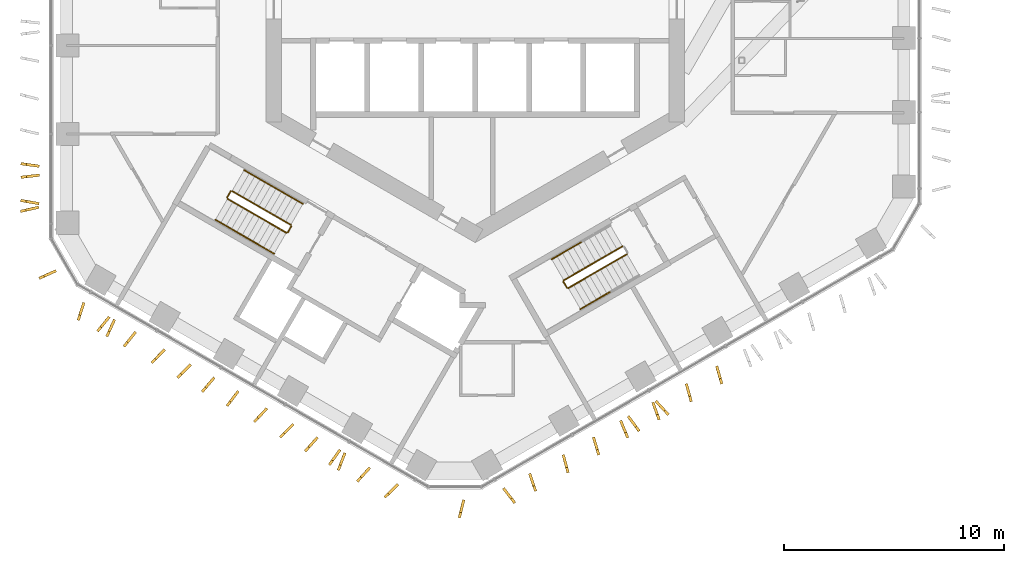
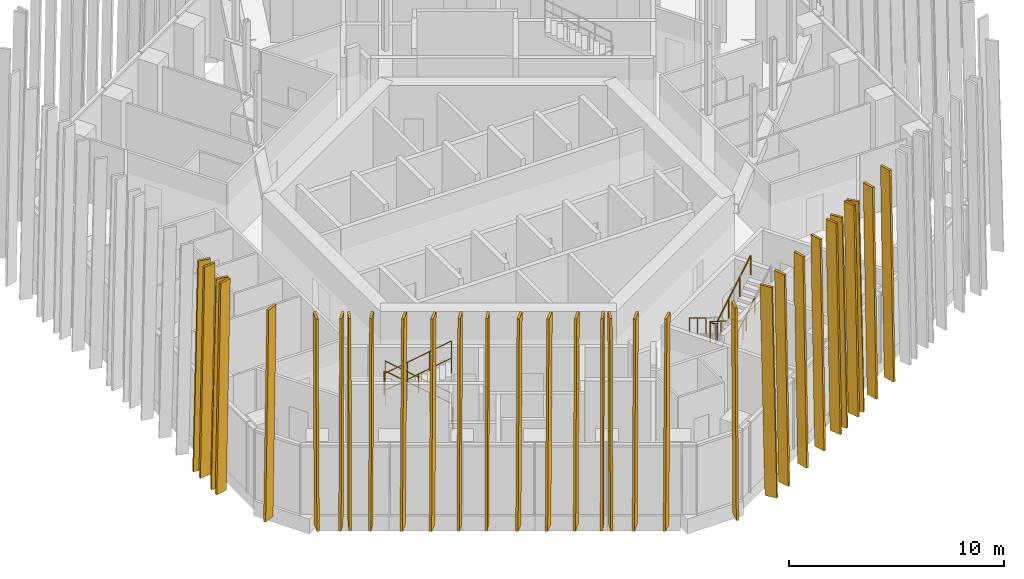
# One storey, part 27 of 31: 31 shading devices, 13 railings.
"""IFC4 building model written with IfcOpenShell, lengths in metres."""

from ifc_helpers import new_model, si_unit, direction, frame, origin, origin_2d, place, context, subcontext, project, spatial, polyline, circle, outline, extrude, material, layer, layer_set, type_object, element, save


model = new_model("IFC4")

# Units and contexts
model_context = context("Model", 3, precision=1e-05, world=origin(), true_north=direction((0.0, 1.0)))
body_context = subcontext(model_context, "Body", "Model", "MODEL_VIEW")
ifc_project = project(units=[si_unit("LENGTHUNIT", "METRE"), si_unit("AREAUNIT", "SQUARE_METRE"), si_unit("VOLUMEUNIT", "CUBIC_METRE"), si_unit("PLANEANGLEUNIT", "RADIAN"), si_unit("MASSUNIT", "GRAM", prefix="KILO")], contexts=[model_context])

# Site, building, storey
site_placement = place(None, origin())
site = spatial("IfcSite", under=ifc_project, at=site_placement, CompositionType="ELEMENT")
building_placement = place(site_placement, origin())
building = spatial("IfcBuilding", under=site, at=building_placement, Name="Ayvan Gate Tower", CompositionType="ELEMENT")
storey_placement = place(building_placement, frame((0.0, 0.0, 135.89990234375)))
storey = spatial("IfcBuildingStorey", under=building, at=storey_placement, Name="L36", CompositionType="ELEMENT", Elevation=135.89990234375)

# Shading devices
ifc_material_1 = material(Name="Bronze anodised aluminium", Category="aluminium")
ifc_layer = layer(ifc_material_1, 0.1201171875)
ifc_layer_set = layer_set([ifc_layer], Name="Bronze anodised aluminium")
shading_device_type = type_object("IfcShadingDeviceType", Name="Bronze fin 600 x 120", PredefinedType="USERDEFINED", material=ifc_layer_set)
shading_device_1_placement = place(storey_placement, frame((-20.045654296875, -7.40576171875, 0.0), z_axis=(0.135893885966, 0.990723390198, 0.000125979305), x_axis=(-0.99072339806, 0.135893887044, 0.0)))
element("IfcShadingDevice", 1, at=shading_device_1_placement, inside=storey, type_object=shading_device_type, Name="Bronze fin FG13.3.48", ObjectType="FIN", PredefinedType="USERDEFINED", context=body_context, shape_type="SweptSolid", body=[
    extrude(outline(polyline([(0.0, 0.0), (0.6000488360716393, 0.0), (0.35045979982692116, 11.880127047398476), (-0.2495890362447181, 11.880127047398476), (0.0, 0.0)])), origin(), (0.0, 0.0, -1.0), 0.1201171875),
])
shading_device_2_placement = place(storey_placement, frame((-20.05615234375, -7.874267578125, 0.0), z_axis=(-0.111101503658, 0.993809054695, 0.00013671442), x_axis=(-0.993809063983, -0.111101504696, 0.0)))
element("IfcShadingDevice", 2, at=shading_device_2_placement, inside=storey, type_object=shading_device_type, Name="Bronze fin FG13.3.49", ObjectType="FIN", PredefinedType="USERDEFINED", context=body_context, shape_type="SweptSolid", body=[
    extrude(outline(polyline([(0.0, 0.0), (0.5999053820868901, -1.6940658945086007e-21), (0.35024921043822377, 11.880127064149734), (-0.24965617164866633, 11.880127064149734), (0.0, 0.0)])), origin(), (0.0, 0.0, -1.0), 0.1201171875),
])
shading_device_3_placement = place(storey_placement, frame((-20.051513671875, -9.09765625, 0.0), z_axis=(0.17191640772, 0.985111533942, 0.000120216133), x_axis=(-0.985111541059, 0.171916408965, -2.4093e-08)))
element("IfcShadingDevice", 3, at=shading_device_3_placement, inside=storey, type_object=shading_device_type, Name="Bronze fin FG13.3.50", ObjectType="FIN", PredefinedType="USERDEFINED", context=body_context, shape_type="SweptSolid", body=[
    extrude(outline(polyline([(0.0, 0.0), (0.6000184770256811, 0.0), (0.3504305451081392, 11.880127047413295), (-0.2495459601380093, 11.880127018501636), (0.0, 0.0)])), origin(), (0.0, 0.0, -1.0), 0.1201171875),
])
shading_device_4_placement = place(storey_placement, frame((-20.0888671875, -9.359619140625, 0.0), z_axis=(-0.220548118527, 0.975376088761, 0.000113525878), x_axis=(-0.975376095046, -0.220548119948, 0.0)))
element("IfcShadingDevice", 4, at=shading_device_4_placement, inside=storey, type_object=shading_device_type, Name="Bronze fin FG13.3.51", ObjectType="FIN", PredefinedType="USERDEFINED", context=body_context, shape_type="SweptSolid", body=[
    extrude(outline(polyline([(0.0, 0.0), (0.5999789015716179, 0.0), (0.3504803836896402, 11.880127029681281), (-0.24949851788197774, 11.880127029681281), (0.0, 0.0)])), origin(), (0.0, 0.0, -1.0), 0.1201171875),
])
shading_device_5_placement = place(storey_placement, frame((-19.294677734375, -12.294189453125, 0.0), z_axis=(-0.413787614044, 0.910373437978, 0.000117848804), x_axis=(-0.910373444299, -0.413787616918, 9.922e-09)))
element("IfcShadingDevice", 5, at=shading_device_5_placement, inside=storey, type_object=shading_device_type, Name="Bronze fin FG13.4.52", ObjectType="FIN", PredefinedType="USERDEFINED", context=body_context, shape_type="SweptSolid", body=[
    extrude(outline(polyline([(0.0, 0.0), (0.59993344758376, 3.3881317890172014e-21), (0.3503384367007245, 11.880127032146486), (-0.2498172700247102, 11.880127044054056), (0.0, 0.0)])), origin(), (0.0, 0.0, -1.0), 0.1201171875),
])
shading_device_6_placement = place(storey_placement, frame((-17.916015625, -13.9140625, 0.0), z_axis=(-0.952829545847, 0.303505909992, 0.000138421233), x_axis=(-0.3035059129, -0.952829554975, 0.0)))
element("IfcShadingDevice", 6, at=shading_device_6_placement, inside=storey, type_object=shading_device_type, Name="Bronze fin FG13.5.53", ObjectType="FIN", PredefinedType="USERDEFINED", context=body_context, shape_type="SweptSolid", body=[
    extrude(outline(polyline([(0.0, 0.0), (0.6000835519472492, -6.776263578034403e-21), (0.35025090268445025, 11.880127066939218), (-0.24983264926279897, 11.880127066939218), (0.0, 0.0)])), origin(), (0.0, 0.0, -1.0), 0.1201171875),
])
shading_device_7_placement = place(storey_placement, frame((-16.830078125, -14.49853515625, 0.0), z_axis=(-0.773975417924, 0.633215631012, 0.000130734074), x_axis=(-0.633215636427, -0.773975424535, -3.7422e-08)))
element("IfcShadingDevice", 7, at=shading_device_7_placement, inside=storey, type_object=shading_device_type, Name="Bronze fin FG13.5.54", ObjectType="FIN", PredefinedType="USERDEFINED", context=body_context, shape_type="SweptSolid", body=[
    extrude(outline(polyline([(0.0, 0.0), (0.6001020516070977, 0.0), (0.35044133610731165, 11.88012706776321), (-0.24969508068242988, 11.880127022847905), (0.0, 0.0)])), origin(), (0.0, 0.0, -1.0), 0.1201171875),
])
shading_device_8_placement = place(storey_placement, frame((-16.546875, -14.66650390625, 0.0), z_axis=(-0.911089723172, 0.412208079309, 0.000125233886), x_axis=(-0.412208082541, -0.911089730316, 0.0)))
element("IfcShadingDevice", 8, at=shading_device_8_placement, inside=storey, type_object=shading_device_type, Name="Bronze fin FG13.5.55", ObjectType="FIN", PredefinedType="USERDEFINED", context=body_context, shape_type="SweptSolid", body=[
    extrude(outline(polyline([(0.0, 0.0), (0.5999747787578815, 0.0), (0.35036169020591007, 11.880127046286143), (-0.2496130885519714, 11.880127046286143), (0.0, 0.0)])), origin(), (0.0, 0.0, -1.0), 0.1201171875),
])
shading_device_9_placement = place(storey_placement, frame((-15.63330078125, -15.187255859375, 0.0), z_axis=(-0.782078136764, 0.623180367562, 0.000132213277), x_axis=(-0.623180373007, -0.782078143602, 2.104e-08)))
element("IfcShadingDevice", 9, at=shading_device_9_placement, inside=storey, type_object=shading_device_type, Name="Bronze fin FG13.5.56", ObjectType="FIN", PredefinedType="USERDEFINED", context=body_context, shape_type="SweptSolid", body=[
    extrude(outline(polyline([(0.0, 0.0), (0.5999129255555216, 0.0), (0.35025106570528225, 11.880127049590094), (-0.24981400349599284, 11.880127074837707), (0.0, 0.0)])), origin(), (0.0, 0.0, -1.0), 0.1201171875),
])
shading_device_10_placement = place(storey_placement, frame((-14.327880859375, -15.96484375, 0.0), z_axis=(-0.719608254855, 0.69438025836, 0.000127842402), x_axis=(-0.694380264031, -0.719608260739, 3.6777e-08)))
element("IfcShadingDevice", 10, at=shading_device_10_placement, inside=storey, type_object=shading_device_type, Name="Bronze fin FG13.5.58", ObjectType="FIN", PredefinedType="USERDEFINED", context=body_context, shape_type="SweptSolid", body=[
    extrude(outline(polyline([(0.0, 0.0), (0.5999999374230234, 0.0), (0.3503566352355509, 11.880127037322337), (-0.24963714300858883, 11.880127081454848), (0.0, 0.0)])), origin(), (0.0, 0.0, -1.0), 0.1201171875),
])
shading_device_11_placement = place(storey_placement, frame((-13.150390625, -16.6484375, 0.0), z_axis=(-0.711871686959, 0.702309535119, 0.000134857093), x_axis=(-0.702309541504, -0.711871693434, 1.9266e-08)))
element("IfcShadingDevice", 11, at=shading_device_11_placement, inside=storey, type_object=shading_device_type, Name="Bronze fin FG13.5.60", ObjectType="FIN", PredefinedType="USERDEFINED", context=body_context, shape_type="SweptSolid", body=[
    extrude(outline(polyline([(0.0, 0.0), (0.6000883135120165, 6.776263578034403e-21), (0.35029242312177733, 11.880127054404763), (-0.24962209359008442, 11.88012707752432), (0.0, 0.0)])), origin(), (0.0, 0.0, -1.0), 0.1201171875),
])
shading_device_12_placement = place(storey_placement, frame((-12.066162109375, -17.2529296875, 0.0), z_axis=(-0.762335738282, 0.647181740986, 0.000127562718), x_axis=(-0.647181746255, -0.762335744481, -3.6582e-08)))
element("IfcShadingDevice", 12, at=shading_device_12_placement, inside=storey, type_object=shading_device_type, Name="Bronze fin FG13.5.62", ObjectType="FIN", PredefinedType="USERDEFINED", context=body_context, shape_type="SweptSolid", body=[
    extrude(outline(polyline([(0.0, 0.0), (0.5999807147719134, 0.0), (0.3503512697425692, 11.88012706259973), (-0.2496575587984424, 11.880127018701758), (0.0, 0.0)])), origin(), (0.0, 0.0, -1.0), 0.1201171875),
])
shading_device_13_placement = place(storey_placement, frame((-10.96435546875, -17.87890625, 0.0), z_axis=(-0.797282010806, 0.603606972712, 0.000133186605), x_axis=(-0.603606978067, -0.797282017877, -5.246e-09)))
element("IfcShadingDevice", 13, at=shading_device_13_placement, inside=storey, type_object=shading_device_type, Name="Bronze fin FG13.5.64", ObjectType="FIN", PredefinedType="USERDEFINED", context=body_context, shape_type="SweptSolid", body=[
    extrude(outline(polyline([(0.0, 0.0), (0.6002015406466985, -6.776263578034403e-21), (0.35033816146262975, 11.880127060331791), (-0.24952136526904356, 11.880127054035997), (0.0, 0.0)])), origin(), (0.0, 0.0, -1.0), 0.1201171875),
])
shading_device_14_placement = place(storey_placement, frame((-9.680908203125, -18.64306640625, 0.0), z_axis=(-0.730120749943, 0.683318137768, 0.000114455331), x_axis=(-0.683318142243, -0.730120754726, 0.0)))
element("IfcShadingDevice", 14, at=shading_device_14_placement, inside=storey, type_object=shading_device_type, Name="Bronze fin FG13.5.66", ObjectType="FIN", PredefinedType="USERDEFINED", context=body_context, shape_type="SweptSolid", body=[
    extrude(outline(polyline([(0.0, 0.0), (0.5998847155284014, 6.776263578034403e-21), (0.35016489747219925, 11.880127030939967), (-0.24971981805620214, 11.880127030939967), (0.0, 0.0)])), origin(), (0.0, 0.0, -1.0), 0.1201171875),
])
shading_device_15_placement = place(storey_placement, frame((-8.480712890625, -19.346435546875, 0.0), z_axis=(-0.707818508961, 0.706394326851, 0.000115606324), x_axis=(-0.70639433157, -0.707818513693, 1.6612e-08)))
element("IfcShadingDevice", 15, at=shading_device_15_placement, inside=storey, type_object=shading_device_type, Name="Bronze fin FG13.5.68", ObjectType="FIN", PredefinedType="USERDEFINED", context=body_context, shape_type="SweptSolid", body=[
    extrude(outline(polyline([(0.0, 0.0), (0.6000744075757722, -6.776263578034403e-21), (0.35044774590589084, 11.880127026691097), (-0.2494538544155619, 11.88012704662564), (0.0, 0.0)])), origin(), (0.0, 0.0, -1.0), 0.1201171875),
])
shading_device_16_placement = place(storey_placement, frame((-7.37646484375, -19.96630859375, 0.0), z_axis=(-0.747005114352, 0.664818277152, 0.000132274567), x_axis=(-0.664818282968, -0.747005120887, 0.0)))
element("IfcShadingDevice", 16, at=shading_device_16_placement, inside=storey, type_object=shading_device_type, Name="Bronze fin FG13.5.70", ObjectType="FIN", PredefinedType="USERDEFINED", context=body_context, shape_type="SweptSolid", body=[
    extrude(outline(polyline([(0.0, 0.0), (0.6000523623824074, 0.0), (0.3502661280788819, 11.880127057055685), (-0.24978623430352556, 11.880127057055685), (0.0, 0.0)])), origin(), (0.0, 0.0, -1.0), 0.1201171875),
])
shading_device_17_placement = place(storey_placement, frame((-6.33544921875, -20.548095703125, 0.0), z_axis=(-0.814502456864, 0.580160091652, 0.000125762998), x_axis=(-0.58016009624, -0.814502463305, 0.0)))
element("IfcShadingDevice", 17, at=shading_device_17_placement, inside=storey, type_object=shading_device_type, Name="Bronze fin FG13.5.72", ObjectType="FIN", PredefinedType="USERDEFINED", context=body_context, shape_type="SweptSolid", body=[
    extrude(outline(polyline([(0.0, 0.0), (0.6000835519472492, -6.776263578034403e-21), (0.3505331907090128, 11.880127047075014), (-0.24955036123823643, 11.880127047075014), (0.0, 0.0)])), origin(), (0.0, 0.0, -1.0), 0.1201171875),
])
shading_device_18_placement = place(storey_placement, frame((-6.065185546875, -20.734619140625, 0.0), z_axis=(-0.93394200753, 0.357424549604, 0.000133835562), x_axis=(-0.357424552807, -0.933942015893, -1.5692e-08)))
element("IfcShadingDevice", 18, at=shading_device_18_placement, inside=storey, type_object=shading_device_type, Name="Bronze fin FG13.5.73", ObjectType="FIN", PredefinedType="USERDEFINED", context=body_context, shape_type="SweptSolid", body=[
    extrude(outline(polyline([(0.0, 0.0), (0.6002214478535683, 0.0), (0.35046328418503436, 11.880127065022693), (-0.2494428886273475, 11.880127046190108), (0.0, 0.0)])), origin(), (0.0, 0.0, -1.0), 0.1201171875),
])
shading_device_19_placement = place(storey_placement, frame((-5.001708984375, -21.339599609375, 0.0), z_axis=(-0.74142971769, 0.671030518371, 0.000130924643), x_axis=(-0.671030524122, -0.741429724045, 0.0)))
element("IfcShadingDevice", 19, at=shading_device_19_placement, inside=storey, type_object=shading_device_type, Name="Bronze fin FG13.5.74", ObjectType="FIN", PredefinedType="USERDEFINED", context=body_context, shape_type="SweptSolid", body=[
    extrude(outline(polyline([(0.0, 0.0), (0.5999546610073421, -6.776263578034403e-21), (0.350267135592846, 11.880127054945188), (-0.24968752541449618, 11.880127054945188), (0.0, 0.0)])), origin(), (0.0, 0.0, -1.0), 0.1201171875),
])
shading_device_20_placement = place(storey_placement, frame((-3.736572265625, -22.0859375, 0.0), z_axis=(-0.707208495552, 0.707005040864, 0.00012653986), x_axis=(-0.707005046526, -0.707208501212, -1.8205e-08)))
element("IfcShadingDevice", 20, at=shading_device_20_placement, inside=storey, type_object=shading_device_type, Name="Bronze fin FG13.5.76", ObjectType="FIN", PredefinedType="USERDEFINED", context=body_context, shape_type="SweptSolid", body=[
    extrude(outline(polyline([(0.0, 0.0), (0.6000740102463245, 0.0), (0.3502733578795491, 11.880127054615865), (-0.24962804371283823, 11.880127032770847), (0.0, 0.0)])), origin(), (0.0, 0.0, -1.0), 0.1201171875),
])
shading_device_21_placement = place(storey_placement, frame((-0.636962890625, -22.88330078125, 0.0), z_axis=(-0.97054806599, 0.24090752833, 0.000119988329), x_axis=(-0.240907530064, -0.970548072977, 0.0)))
element("IfcShadingDevice", 21, at=shading_device_21_placement, inside=storey, type_object=shading_device_type, Name="Bronze fin FG13.6.78", ObjectType="FIN", PredefinedType="USERDEFINED", context=body_context, shape_type="SweptSolid", body=[
    extrude(outline(polyline([(0.0, 0.0), (0.5999449247673146, 3.3881317890172014e-21), (0.35030580418726787, 11.880127038645277), (-0.24963912058004678, 11.880127038645277), (0.0, 0.0)])), origin(), (0.0, 0.0, -1.0), 0.1201171875),
])
shading_device_22_placement = place(storey_placement, frame((1.385986328125, -22.36474609375, 0.0), z_axis=(-0.791374468186, -0.611331690719, 0.000122578801), x_axis=(0.61133169531, -0.791374474133, -1.9737e-08)))
element("IfcShadingDevice", 22, at=shading_device_22_placement, inside=storey, type_object=shading_device_type, Name="Bronze fin FG13.7.79", ObjectType="FIN", PredefinedType="USERDEFINED", context=body_context, shape_type="SweptSolid", body=[
    extrude(outline(polyline([(0.0, 0.0), (0.5999618062852663, 0.0), (0.35034899891452653, 11.880127049292682), (-0.2497620582729151, 11.880127025606695), (0.0, 0.0)])), origin(), (0.0, 0.0, -1.0), 0.1201171875),
])
shading_device_23_placement = place(storey_placement, frame((2.494384765625, -21.718017578125, 0.0), z_axis=(-0.945670954549, -0.325125255028, 0.000119437948), x_axis=(0.325125257347, -0.945670961294, 0.0)))
element("IfcShadingDevice", 23, at=shading_device_23_placement, inside=storey, type_object=shading_device_type, Name="Bronze fin FG13.7.80", ObjectType="FIN", PredefinedType="USERDEFINED", context=body_context, shape_type="SweptSolid", body=[
    extrude(outline(polyline([(0.0, 0.0), (0.599979100260721, 0.0), (0.35030353369662814, 11.880127037862524), (-0.2496755665640929, 11.880127037862524), (0.0, 0.0)])), origin(), (0.0, 0.0, -1.0), 0.1201171875),
])
shading_device_24_placement = place(storey_placement, frame((4.004150390625, -20.8662109375, 0.0), z_axis=(-0.965283019112, -0.261206195267, 0.000128716139), x_axis=(0.261206197431, -0.965283027108, 6.841e-09)))
element("IfcShadingDevice", 24, at=shading_device_24_placement, inside=storey, type_object=shading_device_type, Name="Bronze fin FG13.7.82", ObjectType="FIN", PredefinedType="USERDEFINED", context=body_context, shape_type="SweptSolid", body=[
    extrude(outline(polyline([(0.0, 0.0), (0.5999379196904118, -3.3881317890172014e-21), (0.3504569344799025, 11.880127049141569), (-0.24971665001204946, 11.880127057351544), (0.0, 0.0)])), origin(), (0.0, 0.0, -1.0), 0.1201171875),
])
shading_device_25_placement = place(storey_placement, frame((5.383544921875, -20.061279296875, 0.0), z_axis=(-0.958273087882, -0.2858542863, 0.000126665491), x_axis=(0.285854288597, -0.958273095569, 2.4694e-08)))
element("IfcShadingDevice", 25, at=shading_device_25_placement, inside=storey, type_object=shading_device_type, Name="Bronze fin FG13.7.84", ObjectType="FIN", PredefinedType="USERDEFINED", context=body_context, shape_type="SweptSolid", body=[
    extrude(outline(polyline([(0.0, 0.0), (0.6000216564814054, 3.3881317890172014e-21), (0.35025037741817894, 11.880127039779188), (-0.24970149041854953, 11.880127069411285), (0.0, 0.0)])), origin(), (0.0, 0.0, -1.0), 0.1201171875),
])
shading_device_26_placement = place(storey_placement, frame((6.64453125, -19.309814453125, 0.0), z_axis=(-0.924294189406, -0.381680805486, 0.000118972078), x_axis=(0.381680808187, -0.924294195947, -9.237e-09)))
element("IfcShadingDevice", 26, at=shading_device_26_placement, inside=storey, type_object=shading_device_type, Name="Bronze fin FG13.7.86", ObjectType="FIN", PredefinedType="USERDEFINED", context=body_context, shape_type="SweptSolid", body=[
    extrude(outline(polyline([(0.0, 0.0), (0.6001008328299537, 0.0), (0.3503014045116242, 11.880127040438508), (-0.24957377055564703, 11.880127029354322), (0.0, 0.0)])), origin(), (0.0, 0.0, -1.0), 0.1201171875),
])
shading_device_27_placement = place(storey_placement, frame((7.044921875, -19.09228515625, 0.0), z_axis=(-0.803113722126, -0.595825757879, 0.000124822861), x_axis=(0.595825762519, -0.803113728384, -2.0395e-08)))
element("IfcShadingDevice", 27, at=shading_device_27_placement, inside=storey, type_object=shading_device_type, Name="Bronze fin FG13.7.87", ObjectType="FIN", PredefinedType="USERDEFINED", context=body_context, shape_type="SweptSolid", body=[
    extrude(outline(polyline([(0.0, 0.0), (0.6000086465228489, 6.776263578034403e-21), (0.35038741143512747, 11.88012705282178), (-0.2497667003617739, 11.880127028344459), (0.0, 0.0)])), origin(), (0.0, 0.0, -1.0), 0.1201171875),
])
shading_device_28_placement = place(storey_placement, frame((8.095947265625, -18.479736328125, 0.0), z_axis=(-0.939769652503, -0.341808403595, 0.000124363174), x_axis=(0.341808406237, -0.939769659771, -8.647e-09)))
element("IfcShadingDevice", 28, at=shading_device_28_placement, inside=storey, type_object=shading_device_type, Name="Bronze fin FG13.7.88", ObjectType="FIN", PredefinedType="USERDEFINED", context=body_context, shape_type="SweptSolid", body=[
    extrude(outline(polyline([(0.0, 0.0), (0.6000944763939511, 0.0), (0.3502115504819004, 11.88012704802348), (-0.2496534899599583, 11.880127037647442), (0.0, 0.0)])), origin(), (0.0, 0.0, -1.0), 0.1201171875),
])
shading_device_29_placement = place(storey_placement, frame((8.325439453125, -18.390380859375, 0.0), z_axis=(-0.733843305405, -0.679318768158, 0.000119751098), x_axis=(0.679318773032, -0.733843310664, 3.443e-08)))
element("IfcShadingDevice", 29, at=shading_device_29_placement, inside=storey, type_object=shading_device_type, Name="Bronze fin FG13.7.89", ObjectType="FIN", PredefinedType="USERDEFINED", context=body_context, shape_type="SweptSolid", body=[
    extrude(outline(polyline([(0.0, 0.0), (0.599995566428376, 0.0), (0.3503067351243844, 11.880127026246488), (-0.24970214295868687, 11.880127067562304), (0.0, 0.0)])), origin(), (0.0, 0.0, -1.0), 0.1201171875),
])
shading_device_30_placement = place(storey_placement, frame((9.5966796875, -17.635498046875, 0.0), z_axis=(-0.963771059685, -0.266730812592, 0.000134639445), x_axis=(0.266730815005, -0.963771068422, -3.3703e-08)))
element("IfcShadingDevice", 30, at=shading_device_30_placement, inside=storey, type_object=shading_device_type, Name="Bronze fin FG13.7.90", ObjectType="FIN", PredefinedType="USERDEFINED", context=body_context, shape_type="SweptSolid", body=[
    extrude(outline(polyline([(0.0, 0.0), (0.6000689318650778, -3.3881317890172014e-21), (0.3502745343078033, 11.880127072610337), (-0.24962422171415516, 11.880127032168296), (0.0, 0.0)])), origin(), (0.0, 0.0, -1.0), 0.1201171875),
])
shading_device_31_placement = place(storey_placement, frame((10.9814453125, -16.833251953125, 0.0), z_axis=(-0.961677300908, -0.27418379899, 0.000115282963), x_axis=(0.274183800812, -0.961677307298, 0.0)))
element("IfcShadingDevice", 31, at=shading_device_31_placement, inside=storey, type_object=shading_device_type, Name="Bronze fin FG13.7.92", ObjectType="FIN", PredefinedType="USERDEFINED", context=body_context, shape_type="SweptSolid", body=[
    extrude(outline(polyline([(0.0, 0.0), (0.6001477139160631, 3.3881317890172014e-21), (0.35047664631059133, 11.880127032069405), (-0.24967106760547175, 11.880127032069405), (0.0, 0.0)])), origin(), (0.0, 0.0, -1.0), 0.1201171875),
])

# Railings
ifc_material_2 = material(Name="Stainless steel balustrade", Category="steel")
railing_type_1 = type_object("IfcRailingType", Name="RL-GUARD-1100", PredefinedType="GUARDRAIL", material=ifc_material_2)
railing_1_placement = place(storey_placement, frame((-8.381103515625, -10.16650390625, 0.166748046875)))
element("IfcRailing", 32, at=railing_1_placement, inside=storey, type_object=railing_type_1, Name="L36 STS2 stair guard 1", PredefinedType="GUARDRAIL", context=body_context, shape_type="SweptSolid", body=[
    extrude(circle(Radius=0.02392578125, at=origin_2d()), frame((0.0, 0.0, 1.076171875), z_axis=(-0.744189839504, 0.429649414936, 0.511451721109), x_axis=(-0.499992328818, -0.866029832698, 0.0)), (0.0, 0.0, 1.0), 3.58447265625),
    extrude(circle(Radius=0.02099609375, at=origin_2d()), origin(), (0.0, 0.0, 1.0), 1.052001953125),
    extrude(circle(Radius=0.02099609375, at=origin_2d()), frame((-0.88916015625, 0.513427734375, 0.611083984375)), (0.0, 0.0, 1.0), 1.052001953125),
    extrude(circle(Radius=0.02099609375, at=origin_2d()), frame((-1.7783203125, 1.026611328125, 1.22216796875)), (0.0, 0.0, 1.0), 1.052001953125),
    extrude(circle(Radius=0.02099609375, at=origin_2d()), frame((-2.66748046875, 1.5400390625, 1.833251953125)), (0.0, 0.0, 1.0), 1.052001953125),
])
railing_2_placement = place(storey_placement, frame((-11.11669921875, -8.644775390625, 2.0)))
element("IfcRailing", 33, at=railing_2_placement, inside=storey, type_object=railing_type_1, Name="L36 STS2 stair guard 2", PredefinedType="GUARDRAIL", context=body_context, shape_type="SweptSolid", body=[
    extrude(circle(Radius=0.02392578125, at=origin_2d()), frame((0.0, 0.0, 1.076171875), z_axis=(-0.499949632511, -0.866054481515, 0.0), x_axis=(0.866054481515, -0.499949632511, 0.0)), (0.0, 0.0, 1.0), 0.31005859375),
    extrude(circle(Radius=0.02099609375, at=origin_2d()), origin(), (0.0, 0.0, 1.0), 1.052001953125),
    extrude(circle(Radius=0.02099609375, at=origin_2d()), frame((-0.155029296875, -0.2685546875, 0.0)), (0.0, 0.0, 1.0), 1.052001953125),
])
railing_3_placement = place(storey_placement, frame((-11.25341796875, -8.981689453125, 2.166748046875)))
element("IfcRailing", 34, at=railing_3_placement, inside=storey, type_object=railing_type_1, Name="L36 STS2 stair guard 3", PredefinedType="GUARDRAIL", context=body_context, shape_type="SweptSolid", body=[
    extrude(circle(Radius=0.02392578125, at=origin_2d()), frame((0.0, 0.0, 1.076171875), z_axis=(0.74418122563, -0.429615651263, 0.511492615401), x_axis=(0.499967199496, 0.866044340336, 0.0)), (0.0, 0.0, 1.0), 3.584228515625),
    extrude(circle(Radius=0.02099609375, at=origin_2d()), origin(), (0.0, 0.0, 1.0), 1.052001953125),
    extrude(circle(Radius=0.02099609375, at=origin_2d()), frame((0.88916015625, -0.51318359375, 0.611083984375)), (0.0, 0.0, 1.0), 1.052001953125),
    extrude(circle(Radius=0.02099609375, at=origin_2d()), frame((1.778076171875, -1.026611328125, 1.22216796875)), (0.0, 0.0, 1.0), 1.052001953125),
    extrude(circle(Radius=0.02099609375, at=origin_2d()), frame((2.667236328125, -1.539794921875, 1.833251953125)), (0.0, 0.0, 1.0), 1.052001953125),
])
railing_4_placement = place(storey_placement, frame((-8.36279296875, -10.23486328125, 0.0)))
element("IfcRailing", 35, at=railing_4_placement, inside=storey, type_object=railing_type_1, Name="L36 STS2 stair guard 4", PredefinedType="GUARDRAIL", context=body_context, shape_type="SweptSolid", body=[
    extrude(circle(Radius=0.02392578125, at=origin_2d()), frame((0.0, 0.0, 1.076171875), z_axis=(-0.500290723946, -0.86585748916, 0.0), x_axis=(0.86585748916, -0.500290723946, 0.0)), (0.0, 0.0, 1.0), 0.309814453125),
    extrude(circle(Radius=0.02099609375, at=origin_2d()), origin(), (0.0, 0.0, 1.0), 1.052001953125),
    extrude(circle(Radius=0.02099609375, at=origin_2d()), frame((-0.155029296875, -0.268310546875, 0.0)), (0.0, 0.0, 1.0), 1.052001953125),
])
railing_5_placement = place(storey_placement, frame((6.6923828125, -11.1416015625, 0.166748046875)))
element("IfcRailing", 36, at=railing_5_placement, inside=storey, type_object=railing_type_1, Name="L36 STS3 stair guard 1", PredefinedType="GUARDRAIL", context=body_context, shape_type="SweptSolid", body=[
    extrude(circle(Radius=0.02392578125, at=origin_2d()), frame((0.0, 0.0, 1.076171875), z_axis=(-0.744211616859, -0.429593874019, 0.511466687808), x_axis=(0.499932877268, -0.866064153644, 0.0)), (0.0, 0.0, 1.0), 3.584228515625),
    extrude(circle(Radius=0.02099609375, at=origin_2d()), origin(), (0.0, 0.0, 1.0), 1.052001953125),
    extrude(circle(Radius=0.02099609375, at=origin_2d()), frame((-0.88916015625, -0.51318359375, 0.611083984375)), (0.0, 0.0, 1.0), 1.052001953125),
    extrude(circle(Radius=0.02099609375, at=origin_2d()), frame((-1.7783203125, -1.026611328125, 1.22216796875)), (0.0, 0.0, 1.0), 1.052001953125),
    extrude(circle(Radius=0.02099609375, at=origin_2d()), frame((-2.66748046875, -1.539794921875, 1.833251953125)), (0.0, 0.0, 1.0), 1.052001953125),
])
railing_6_placement = place(storey_placement, frame((4.006591796875, -12.749755859375, 2.0)))
element("IfcRailing", 37, at=railing_6_placement, inside=storey, type_object=railing_type_1, Name="L36 STS3 stair guard 2", PredefinedType="GUARDRAIL", context=body_context, shape_type="SweptSolid", body=[
    extrude(circle(Radius=0.02392578125, at=origin_2d()), frame((0.0, 0.0, 1.076171875), z_axis=(0.499949632511, -0.866054481515, 0.0), x_axis=(0.866054481515, 0.499949632511, 0.0)), (0.0, 0.0, 1.0), 0.31005859375),
    extrude(circle(Radius=0.02099609375, at=origin_2d()), origin(), (0.0, 0.0, 1.0), 1.052001953125),
    extrude(circle(Radius=0.02099609375, at=origin_2d()), frame((0.155029296875, -0.2685546875, 0.0)), (0.0, 0.0, 1.0), 1.052001953125),
])
railing_7_placement = place(storey_placement, frame((4.22998046875, -13.03662109375, 2.166748046875)))
element("IfcRailing", 38, at=railing_7_placement, inside=storey, type_object=railing_type_1, Name="L36 STS3 stair guard 3", PredefinedType="GUARDRAIL", context=body_context, shape_type="SweptSolid", body=[
    extrude(circle(Radius=0.02392578125, at=origin_2d()), frame((0.0, 0.0, 1.076171875), z_axis=(0.744189839504, 0.429649414936, 0.511451721109), x_axis=(-0.499992328818, 0.866029832698, 0.0)), (0.0, 0.0, 1.0), 3.58447265625),
    extrude(circle(Radius=0.02099609375, at=origin_2d()), origin(), (0.0, 0.0, 1.0), 1.052001953125),
    extrude(circle(Radius=0.02099609375, at=origin_2d()), frame((0.88916015625, 0.513427734375, 0.611083984375)), (0.0, 0.0, 1.0), 1.052001953125),
    extrude(circle(Radius=0.02099609375, at=origin_2d()), frame((1.7783203125, 1.026611328125, 1.22216796875)), (0.0, 0.0, 1.0), 1.052001953125),
    extrude(circle(Radius=0.02099609375, at=origin_2d()), frame((2.66748046875, 1.5400390625, 1.833251953125)), (0.0, 0.0, 1.0), 1.052001953125),
])
railing_type_2 = type_object("IfcRailingType", Name="RL-HANDRAIL-900", PredefinedType="HANDRAIL", material=ifc_material_2)
railing_8_placement = place(storey_placement, frame((-7.8310546875, -9.2138671875, 0.166748046875)))
element("IfcRailing", 39, at=railing_8_placement, inside=storey, type_object=railing_type_2, Name="L36 STS2 stair handrail 1", PredefinedType="HANDRAIL", context=body_context, shape_type="SweptSolid", body=[
    extrude(circle(Radius=0.02392578125, at=origin_2d()), frame((0.0, 0.0, 0.8759765625), z_axis=(-0.7441639146, 0.429634447492, 0.511502013422), x_axis=(-0.499992328818, -0.866029832698, 0.0)), (0.0, 0.0, 1.0), 1.792236328125),
    extrude(circle(Radius=0.02099609375, at=origin_2d()), origin(), (0.0, 0.0, 1.0), 0.851806640625),
    extrude(circle(Radius=0.02099609375, at=origin_2d()), frame((-0.6669921875, 0.385009765625, 0.45849609375)), (0.0, 0.0, 1.0), 0.851806640625),
    extrude(circle(Radius=0.02099609375, at=origin_2d()), frame((-1.333740234375, 0.77001953125, 0.916748046875)), (0.0, 0.0, 1.0), 0.851806640625),
])
railing_9_placement = place(storey_placement, frame((-9.164794921875, -8.44384765625, 1.08349609375)))
element("IfcRailing", 40, at=railing_9_placement, inside=storey, type_object=railing_type_2, Name="L36 STS2 stair handrail 2", PredefinedType="HANDRAIL", context=body_context, shape_type="SweptSolid", body=[
    extrude(circle(Radius=0.02392578125, at=origin_2d()), frame((0.0, 0.0, 0.8759765625), z_axis=(-0.744215763664, 0.42966438195, 0.511401423539), x_axis=(-0.499992328818, -0.866029832698, 0.0)), (0.0, 0.0, 1.0), 1.792236328125),
    extrude(circle(Radius=0.02099609375, at=origin_2d()), origin(), (0.0, 0.0, 1.0), 0.851806640625),
    extrude(circle(Radius=0.02099609375, at=origin_2d()), frame((-0.6669921875, 0.385009765625, 0.458251953125)), (0.0, 0.0, 1.0), 0.851806640625),
    extrude(circle(Radius=0.02099609375, at=origin_2d()), frame((-1.333740234375, 0.77001953125, 0.91650390625)), (0.0, 0.0, 1.0), 0.851806640625),
])
railing_10_placement = place(storey_placement, frame((-11.803466796875, -9.93408203125, 2.166748046875)))
element("IfcRailing", 41, at=railing_10_placement, inside=storey, type_object=railing_type_2, Name="L36 STS2 stair handrail 3", PredefinedType="HANDRAIL", context=body_context, shape_type="SweptSolid", body=[
    extrude(circle(Radius=0.02392578125, at=origin_2d()), frame((0.0, 0.0, 0.8759765625), z_axis=(0.7441639146, -0.429634447492, 0.511502013422), x_axis=(0.499992328818, 0.866029832698, 0.0)), (0.0, 0.0, 1.0), 1.792236328125),
    extrude(circle(Radius=0.02099609375, at=origin_2d()), origin(), (0.0, 0.0, 1.0), 0.851806640625),
    extrude(circle(Radius=0.02099609375, at=origin_2d()), frame((0.6669921875, -0.385009765625, 0.45849609375)), (0.0, 0.0, 1.0), 0.851806640625),
    extrude(circle(Radius=0.02099609375, at=origin_2d()), frame((1.333740234375, -0.77001953125, 0.916748046875)), (0.0, 0.0, 1.0), 0.851806640625),
])
railing_11_placement = place(storey_placement, frame((-10.4697265625, -10.7041015625, 3.08349609375)))
element("IfcRailing", 42, at=railing_11_placement, inside=storey, type_object=railing_type_2, Name="L36 STS2 stair handrail 4", PredefinedType="HANDRAIL", context=body_context, shape_type="SweptSolid", body=[
    extrude(circle(Radius=0.02392578125, at=origin_2d()), frame((0.0, 0.0, 0.8759765625), z_axis=(0.744215763664, -0.42966438195, 0.511401423539), x_axis=(0.499992328818, 0.866029832698, 0.0)), (0.0, 0.0, 1.0), 1.792236328125),
    extrude(circle(Radius=0.02099609375, at=origin_2d()), origin(), (0.0, 0.0, 1.0), 0.851806640625),
    extrude(circle(Radius=0.02099609375, at=origin_2d()), frame((0.6669921875, -0.385009765625, 0.458251953125)), (0.0, 0.0, 1.0), 0.851806640625),
    extrude(circle(Radius=0.02099609375, at=origin_2d()), frame((1.333740234375, -0.77001953125, 0.91650390625)), (0.0, 0.0, 1.0), 0.851806640625),
])
railing_12_placement = place(storey_placement, frame((4.80859375, -10.958984375, 1.08349609375)))
element("IfcRailing", 43, at=railing_12_placement, inside=storey, type_object=railing_type_2, Name="L36 STS3 stair handrail 2", PredefinedType="HANDRAIL", context=body_context, shape_type="SweptSolid", body=[
    extrude(circle(Radius=0.02392578125, at=origin_2d()), frame((0.0, 0.0, 0.8759765625), z_axis=(-0.744198540083, -0.429596850399, 0.511483214843), x_axis=(0.499942064311, -0.866058850386, 0.0)), (0.0, 0.0, 1.0), 1.791748046875),
    extrude(circle(Radius=0.02099609375, at=origin_2d()), origin(), (0.0, 0.0, 1.0), 0.851806640625),
    extrude(circle(Radius=0.02099609375, at=origin_2d()), frame((-0.666748046875, -0.384765625, 0.458251953125)), (0.0, 0.0, 1.0), 0.851806640625),
    extrude(circle(Radius=0.02099609375, at=origin_2d()), frame((-1.33349609375, -0.769775390625, 0.91650390625)), (0.0, 0.0, 1.0), 0.851806640625),
])
railing_13_placement = place(storey_placement, frame((4.780029296875, -13.9892578125, 2.166748046875)))
element("IfcRailing", 44, at=railing_13_placement, inside=storey, type_object=railing_type_2, Name="L36 STS3 stair handrail 3", PredefinedType="HANDRAIL", context=body_context, shape_type="SweptSolid", body=[
    extrude(circle(Radius=0.02392578125, at=origin_2d()), frame((0.0, 0.0, 0.8759765625), z_axis=(0.7441639146, 0.429634447492, 0.511502013422), x_axis=(-0.499992328818, 0.866029832698, 0.0)), (0.0, 0.0, 1.0), 1.792236328125),
    extrude(circle(Radius=0.02099609375, at=origin_2d()), origin(), (0.0, 0.0, 1.0), 0.851806640625),
    extrude(circle(Radius=0.02099609375, at=origin_2d()), frame((0.6669921875, 0.385009765625, 0.45849609375)), (0.0, 0.0, 1.0), 0.851806640625),
    extrude(circle(Radius=0.02099609375, at=origin_2d()), frame((1.333740234375, 0.77001953125, 0.916748046875)), (0.0, 0.0, 1.0), 0.851806640625),
])

save(model, "model.ifc")
